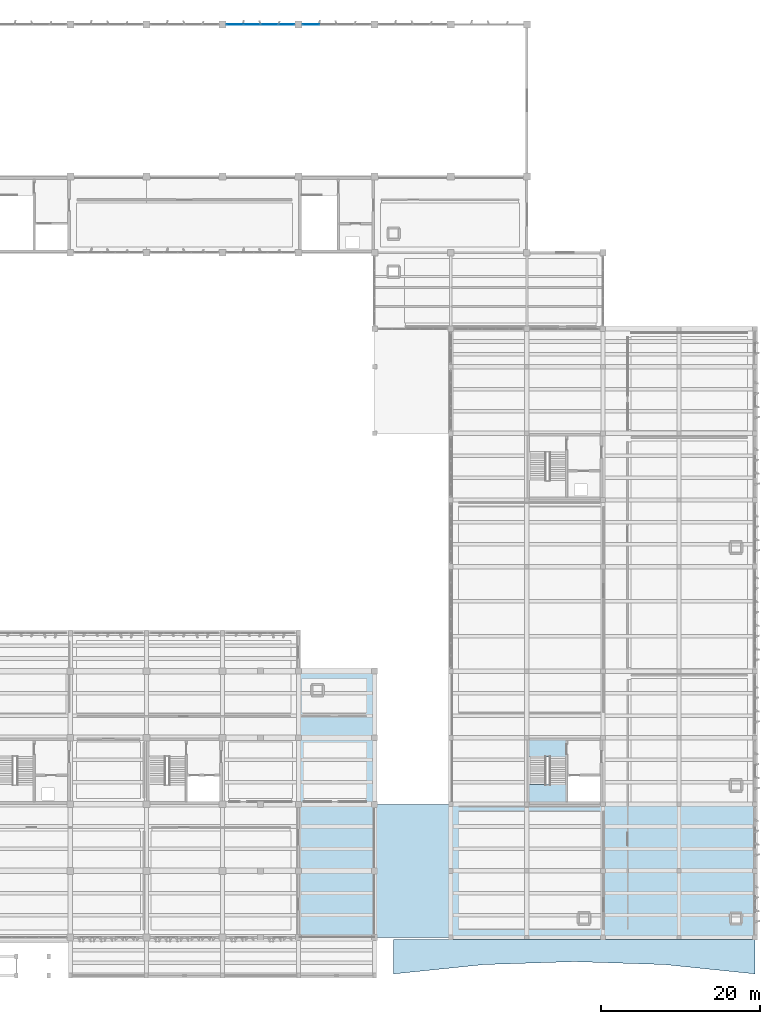
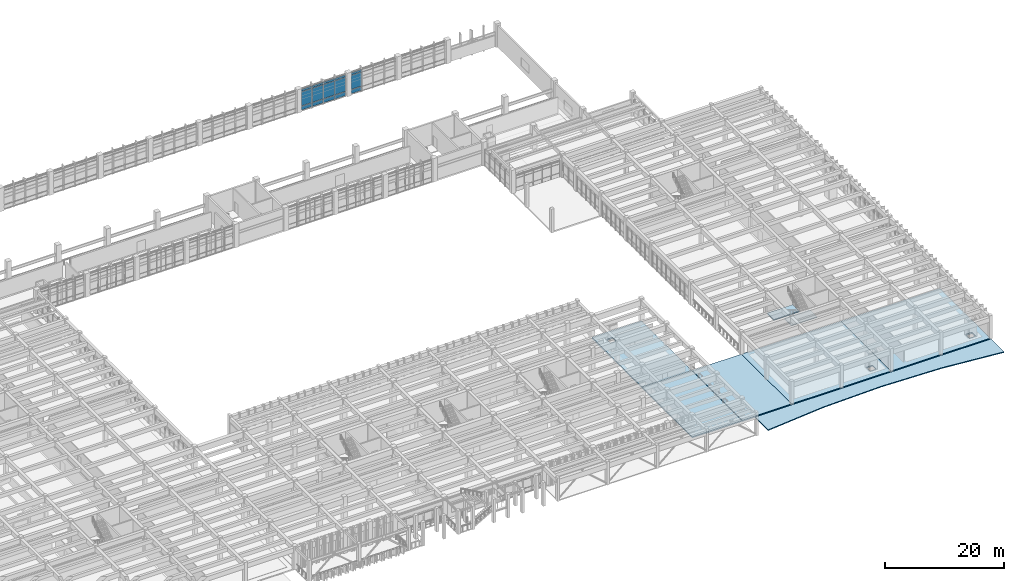
# One storey, part 54 of 86: 15 plates, 8 slabs, 3 elements without a shape of their own.
"""IFC4 building model written with IfcOpenShell, lengths in metres."""

import ifcopenshell
import ifcopenshell.guid

model = None  # the IFC model being written
_history = None  # IfcOwnerHistory: only IFC2X3 demands one
_inside = {}  # id of a spatial element -> (the spatial element, [elements in it])
_under = {}  # id of a project, library or spatial element -> (it, [spatial elements below it])
_declared = {}  # id of a project -> (the project, [libraries it declares])
_typed = {}  # id of a type object -> (the type object, [elements of that type])
_made_of = {}  # id of a material, layer set ... -> (it, [elements and type objects made of it])


def new_model(schema):
    """Start an empty IFC model of exactly this schema.

    Asked for "IFC4X3", IfcOpenShell would pick the latest addendum, in which some entities
    have other attributes; the version numbers below select the first issue.
    IFC2X3 requires an IfcOwnerHistory on every rooted entity: one is made here for all.
    """
    global model, _history
    if schema == "IFC4X3":
        model = ifcopenshell.file(schema_version=(4, 3, 0, 0))
    else:
        model = ifcopenshell.file(schema=schema)
    _inside.clear()
    _under.clear()
    _declared.clear()
    _typed.clear()
    _made_of.clear()
    _history = None
    if model.schema == "IFC2X3":
        org = make("IfcOrganization", Name="unknown")
        user = make(
            "IfcPersonAndOrganization",
            ThePerson=make("IfcPerson", FamilyName="unknown"),
            TheOrganization=org,
        )
        app = make(
            "IfcApplication",
            ApplicationDeveloper=org,
            Version="unknown",
            ApplicationFullName="unknown",
            ApplicationIdentifier="unknown",
        )
        _history = make(
            "IfcOwnerHistory",
            OwningUser=user,
            OwningApplication=app,
            ChangeAction="ADDED",
            CreationDate=0,
        )
    return model


def make(cls, **values):
    """One entity of the class cls with the attributes given. An attribute that is None is left unset."""
    return model.create_entity(
        cls, **{name: value for name, value in values.items() if value is not None}
    )


def rooted(cls, **values):
    """An entity with a GlobalId (a new one), such as an element, a storey or a relation."""
    return make(cls, GlobalId=ifcopenshell.guid.new(), OwnerHistory=_history, **values)


def si_unit(unit_type, name, prefix=None):
    """IfcSIUnit, for example si_unit("LENGTHUNIT", "METRE", prefix="MILLI")."""
    return make("IfcSIUnit", UnitType=unit_type, Prefix=prefix, Name=name)


def assignment(units):
    """IfcUnitAssignment: the units of a project."""
    return None if units is None else make("IfcUnitAssignment", Units=units)


def point(xyz):
    """IfcCartesianPoint."""
    return None if xyz is None else make("IfcCartesianPoint", Coordinates=xyz)


def direction(xyz):
    """IfcDirection."""
    return None if xyz is None else make("IfcDirection", DirectionRatios=xyz)


def frame(location, z_axis=None, x_axis=None):
    """IfcAxis2Placement3D, a coordinate frame: its origin and axes. An axis left out is left unset."""
    return make(
        "IfcAxis2Placement3D",
        Location=point(location),
        Axis=direction(z_axis),
        RefDirection=direction(x_axis),
    )


def frame_2d(location, x_axis=None):
    """IfcAxis2Placement2D, a coordinate frame in the plane: its origin and x axis."""
    return make(
        "IfcAxis2Placement2D", Location=point(location), RefDirection=direction(x_axis)
    )


def origin():
    """The frame at (0, 0, 0) with its axes left unset."""
    return frame((0.0, 0.0, 0.0))


def origin_2d():
    """The frame at (0, 0) in the plane with its x axis left unset."""
    return frame_2d((0.0, 0.0))


def place(relative_to, where):
    """IfcLocalPlacement: puts the frame where relative to a parent placement (None: the world)."""
    return make(
        "IfcLocalPlacement", PlacementRelTo=relative_to, RelativePlacement=where
    )


def context(
    kind, dimensions, precision=None, world=None, true_north=None, identifier=None
):
    """IfcGeometricRepresentationContext, for example the 3D "Model" context."""
    return make(
        "IfcGeometricRepresentationContext",
        ContextIdentifier=identifier,
        ContextType=kind,
        CoordinateSpaceDimension=dimensions,
        Precision=precision,
        WorldCoordinateSystem=world,
        TrueNorth=true_north,
    )


def subcontext(parent, identifier, kind, view, scale=None):
    """IfcGeometricRepresentationSubContext, for example "Body" below "Model"."""
    return make(
        "IfcGeometricRepresentationSubContext",
        ContextIdentifier=identifier,
        ContextType=kind,
        ParentContext=parent,
        TargetScale=scale,
        TargetView=view,
    )


def project(units=None, contexts=None):
    """IfcProject with its units and contexts."""
    return rooted(
        "IfcProject",
        Name="project",
        RepresentationContexts=contexts,
        UnitsInContext=assignment(units),
    )


def spatial(cls, under=None, at=None, **own):
    """A site, building, storey or space (cls), placed at a placement, below another one or the project."""
    s = rooted(cls, ObjectPlacement=at, **own)
    if under is not None:
        _under.setdefault(under.id(), (under, []))[1].append(s)
    return s


def polyline(points):
    """IfcPolyline through the points."""
    return make("IfcPolyline", Points=[point(p) for p in points])


def profile(cls, at=None, kind="AREA", **sizes):
    """A parametric profile (cls). Its sizes go by their IFC names, for example OverallWidth=200.0."""
    return make(cls, ProfileType=kind, Position=at, **sizes)


def rectangle(**sizes):
    """IfcRectangleProfileDef."""
    return profile("IfcRectangleProfileDef", **sizes)


def outline(outer, holes=None, kind="AREA"):
    """IfcArbitraryClosedProfileDef: a profile drawn as a closed curve; with holes, ...WithVoids."""
    if holes is None:
        return make("IfcArbitraryClosedProfileDef", ProfileType=kind, OuterCurve=outer)
    return make(
        "IfcArbitraryProfileDefWithVoids",
        ProfileType=kind,
        OuterCurve=outer,
        InnerCurves=holes,
    )


def extrude(swept, where, along, depth):
    """IfcExtrudedAreaSolid: the profile swept, set in the frame where, extruded along a direction by depth."""
    return make(
        "IfcExtrudedAreaSolid",
        SweptArea=swept,
        Position=where,
        ExtrudedDirection=direction(along),
        Depth=depth,
    )


def shape(context_of_items, identifier, shape_type, items):
    """IfcShapeRepresentation: the items that make up one representation, for example the "Body"."""
    return make(
        "IfcShapeRepresentation",
        ContextOfItems=context_of_items,
        RepresentationIdentifier=identifier,
        RepresentationType=shape_type,
        Items=items,
    )


def material(Name=None, Category=None):
    """IfcMaterial."""
    return make("IfcMaterial", Name=Name, Category=Category)


def layer(
    of_material, thickness, ventilated=None, Name=None, Category=None, Priority=None
):
    """IfcMaterialLayer: one layer of a wall or slab, of a material (None: an air gap)."""
    return make(
        "IfcMaterialLayer",
        Material=of_material,
        LayerThickness=thickness,
        IsVentilated=ventilated,
        Name=Name,
        Category=Category,
        Priority=Priority,
    )


def layer_set(layers, Name=None):
    """IfcMaterialLayerSet."""
    return make("IfcMaterialLayerSet", MaterialLayers=layers, LayerSetName=Name)


def made_of(thing, what):
    """Note that an element or type object is made of a material, layer set ...; save() writes the relation."""
    if what is not None:
        _made_of.setdefault(what.id(), (what, []))[1].append(thing)
    return thing


def type_object(cls, material=None, **own):
    """A type object (cls), such as IfcWallType, which elements share."""
    return made_of(rooted(cls, **own), material)


def element(
    cls,
    number,
    at=None,
    inside=None,
    cuts=None,
    type_object=None,
    material=None,
    context=None,
    identifier="Body",
    shape_type=None,
    held_by="IfcProductDefinitionShape",
    body=None,
    shapes=None,
    **own,
):
    """One element of the class cls, such as IfcWall. Its Tag is "e" and its number.

    at: its placement. inside: the storey or other place that contains it. cuts: it is an
    opening in that element (IfcRelVoidsElement). A single representation is given by context,
    identifier, shape_type and body (its items); several are given by shapes. held_by: the class
    of the entity that holds the representations. save() writes the other relations.
    """
    e = rooted(cls, Tag="e%d" % number, ObjectPlacement=at, **own)
    if body is not None:
        shapes = [shape(context, identifier, shape_type, body)]
    if shapes is not None:
        e.Representation = make(held_by, Representations=shapes)
    if inside is not None:
        _inside.setdefault(inside.id(), (inside, []))[1].append(e)
    if cuts is not None:
        rooted(
            "IfcRelVoidsElement", RelatingBuildingElement=cuts, RelatedOpeningElement=e
        )
    if type_object is not None:
        _typed.setdefault(type_object.id(), (type_object, []))[1].append(e)
    return made_of(e, material)


def aggregate(whole, parts):
    """IfcRelAggregates: a whole, such as a stair, and the parts it consists of."""
    return rooted("IfcRelAggregates", RelatingObject=whole, RelatedObjects=parts)


def save(model, path):
    """Write the relations noted so far, then the file.

    IfcRelAggregates (storeys below a building ...), IfcRelContainedInSpatialStructure (elements
    in a storey), IfcRelDefinesByType, IfcRelAssociatesMaterial and IfcRelDeclares: one each for
    every whole, place, type object, material and project.
    """
    for whole, parts in _under.values():
        aggregate(whole, parts)
    for where, things in _inside.values():
        rooted(
            "IfcRelContainedInSpatialStructure",
            RelatedElements=things,
            RelatingStructure=where,
        )
    for kind, things in _typed.values():
        rooted("IfcRelDefinesByType", RelatedObjects=things, RelatingType=kind)
    for what, things in _made_of.values():
        rooted("IfcRelAssociatesMaterial", RelatedObjects=things, RelatingMaterial=what)
    for by, libraries in _declared.values():
        rooted("IfcRelDeclares", RelatingContext=by, RelatedDefinitions=libraries)
    model.write(path)


model = new_model("IFC4")

# Units and contexts
model_context = context("Model", 3, precision=1e-05, world=origin(), true_north=direction((0.0, 1.0)))
body_context = subcontext(model_context, "Body", "Model", "MODEL_VIEW")
ifc_project = project(units=[si_unit("LENGTHUNIT", "METRE"), si_unit("AREAUNIT", "SQUARE_METRE"), si_unit("VOLUMEUNIT", "CUBIC_METRE"), si_unit("PLANEANGLEUNIT", "RADIAN"), si_unit("MASSUNIT", "GRAM", prefix="KILO")], contexts=[model_context])

# Site, building, storey
site_placement = place(None, origin())
site = spatial("IfcSite", under=ifc_project, at=site_placement, CompositionType="ELEMENT")
building_placement = place(site_placement, origin())
building = spatial("IfcBuilding", under=site, at=building_placement, Name="Kolvemor Railside Polytechnic", CompositionType="ELEMENT")
storey_placement = place(building_placement, frame((0.0, 0.0, 5.39990234375)))
storey = spatial("IfcBuildingStorey", under=building, at=storey_placement, Name="L01", CompositionType="ELEMENT", Elevation=5.39990234375)

# Curtain wall, plates
ifc_material_1 = material(Name="Anodised marine aluminium and laminated low-E glass", Category="aluminium")
ifc_layer_1 = layer(ifc_material_1, 0.179931640625, Name="CW-UNIT-WKS")
ifc_layer_set_1 = layer_set([ifc_layer_1], Name="Anodised marine aluminium and laminated low-E glass")
curtain_wall_type = type_object("IfcCurtainWallType", Name="CW-UNIT-WKS", PredefinedType="USERDEFINED", material=ifc_layer_set_1)
curtain_wall_1_placement = place(storey_placement, origin())
curtain_wall_1 = element("IfcCurtainWall", 1, at=curtain_wall_1_placement, inside=storey, type_object=curtain_wall_type, Name="Curtain Wall L01-025", ObjectType="UNITISED CURTAIN WALL", PredefinedType="USERDEFINED")
ifc_material_2 = material(Name="Hurricane-laminated solar-control low-E glass", Category="glass")
ifc_layer_2 = layer(ifc_material_2, 0.0458984375, Name="CWP-GLZ-13")
ifc_layer_set_2 = layer_set([ifc_layer_2], Name="Hurricane-laminated solar-control low-E glass")
plate_type_1 = type_object("IfcPlateType", Name="CWP-GLZ-13", PredefinedType="CURTAIN_PANEL", material=ifc_layer_set_2)
plate_1_placement = place(storey_placement, frame((126.371337890625, 120.0, 0.074951171875), z_axis=(0.0, 0.0, 1.0), x_axis=(-1.0, 0.0, 0.0)))
plate_1 = element("IfcPlate", 2, at=plate_1_placement, type_object=plate_type_1, Name="CW-WKS panel 4.1", PredefinedType="CURTAIN_PANEL", context=body_context, shape_type="SweptSolid", body=[
    extrude(rectangle(XDim=2.052490234375, YDim=0.0458984375, at=origin_2d()), origin(), (0.0, 0.0, 1.0), 0.78759765625),
])
plate_2_placement = place(storey_placement, frame((126.371337890625, 120.0, 0.9375), z_axis=(0.0, 0.0, 1.0), x_axis=(-1.0, 0.0, 0.0)))
plate_2 = element("IfcPlate", 3, at=plate_2_placement, type_object=plate_type_1, Name="CW-WKS panel 4.2", PredefinedType="CURTAIN_PANEL", context=body_context, shape_type="SweptSolid", body=[
    extrude(rectangle(XDim=2.052490234375, YDim=0.0458984375, at=origin_2d()), origin(), (0.0, 0.0, 1.0), 2.875),
])
plate_3_placement = place(storey_placement, frame((126.371337890625, 120.0, 3.8876953125), z_axis=(0.0, 0.0, 1.0), x_axis=(-1.0, 0.0, 0.0)))
plate_3 = element("IfcPlate", 4, at=plate_3_placement, type_object=plate_type_1, Name="CW-WKS panel 4.3", PredefinedType="CURTAIN_PANEL", context=body_context, shape_type="SweptSolid", body=[
    extrude(rectangle(XDim=2.052490234375, YDim=0.0458984375, at=origin_2d()), origin(), (0.0, 0.0, 1.0), 0.4375),
])
aggregate(curtain_wall_1, [plate_1, plate_2, plate_3])

curtain_wall_2_placement = place(storey_placement, origin())
curtain_wall_2 = element("IfcCurtainWall", 5, at=curtain_wall_2_placement, inside=storey, type_object=curtain_wall_type, Name="Curtain Wall L01-023", ObjectType="UNITISED CURTAIN WALL", PredefinedType="USERDEFINED")
ifc_material_3 = material(Name="Hurricane-laminated solar-control low-E glass", Category="glass")
ifc_layer_3 = layer(ifc_material_3, 0.050048828125, Name="CWP-GLZ-15")
ifc_layer_set_3 = layer_set([ifc_layer_3], Name="Hurricane-laminated solar-control low-E glass")
plate_type_2 = type_object("IfcPlateType", Name="CWP-GLZ-15", PredefinedType="CURTAIN_PANEL", material=ifc_layer_set_3)
plate_4_placement = place(storey_placement, frame((123.228759765625, 120.0, 0.074951171875), z_axis=(0.0, 0.0, 1.0), x_axis=(-1.0, 0.0, 0.0)))
plate_4 = element("IfcPlate", 6, at=plate_4_placement, type_object=plate_type_2, Name="CW-WKS panel 1.1", PredefinedType="CURTAIN_PANEL", context=body_context, shape_type="SweptSolid", body=[
    extrude(rectangle(XDim=2.052490234375, YDim=0.050048828125, at=origin_2d()), origin(), (0.0, 0.0, 1.0), 0.78759765625),
])
plate_5_placement = place(storey_placement, frame((123.228759765625, 120.0, 0.9375), z_axis=(0.0, 0.0, 1.0), x_axis=(-1.0, 0.0, 0.0)))
plate_5 = element("IfcPlate", 7, at=plate_5_placement, type_object=plate_type_2, Name="CW-WKS panel 1.2", PredefinedType="CURTAIN_PANEL", context=body_context, shape_type="SweptSolid", body=[
    extrude(rectangle(XDim=2.052490234375, YDim=0.050048828125, at=origin_2d()), origin(), (0.0, 0.0, 1.0), 2.875),
])
plate_6_placement = place(storey_placement, frame((123.228759765625, 120.0, 3.8876953125), z_axis=(0.0, 0.0, 1.0), x_axis=(-1.0, 0.0, 0.0)))
plate_6 = element("IfcPlate", 8, at=plate_6_placement, type_object=plate_type_2, Name="CW-WKS panel 1.3", PredefinedType="CURTAIN_PANEL", context=body_context, shape_type="SweptSolid", body=[
    extrude(rectangle(XDim=2.052490234375, YDim=0.050048828125, at=origin_2d()), origin(), (0.0, 0.0, 1.0), 0.4375),
])
plate_7_placement = place(storey_placement, frame((121.08251953125, 120.0, 0.074951171875), z_axis=(0.0, 0.0, 1.0), x_axis=(-1.0, 0.0, 0.0)))
plate_7 = element("IfcPlate", 9, at=plate_7_placement, type_object=plate_type_2, Name="CW-WKS panel 2.1", PredefinedType="CURTAIN_PANEL", context=body_context, shape_type="SweptSolid", body=[
    extrude(rectangle(XDim=2.090087890625, YDim=0.050048828125, at=origin_2d()), origin(), (0.0, 0.0, 1.0), 0.78759765625),
])
plate_8_placement = place(storey_placement, frame((121.08251953125, 120.0, 0.9375), z_axis=(0.0, 0.0, 1.0), x_axis=(-1.0, 0.0, 0.0)))
plate_8 = element("IfcPlate", 10, at=plate_8_placement, type_object=plate_type_2, Name="CW-WKS panel 2.2", PredefinedType="CURTAIN_PANEL", context=body_context, shape_type="SweptSolid", body=[
    extrude(rectangle(XDim=2.090087890625, YDim=0.050048828125, at=origin_2d()), origin(), (0.0, 0.0, 1.0), 2.875),
])
plate_9_placement = place(storey_placement, frame((121.08251953125, 120.0, 3.8876953125), z_axis=(0.0, 0.0, 1.0), x_axis=(-1.0, 0.0, 0.0)))
plate_9 = element("IfcPlate", 11, at=plate_9_placement, type_object=plate_type_2, Name="CW-WKS panel 2.3", PredefinedType="CURTAIN_PANEL", context=body_context, shape_type="SweptSolid", body=[
    extrude(rectangle(XDim=2.090087890625, YDim=0.050048828125, at=origin_2d()), origin(), (0.0, 0.0, 1.0), 0.4375),
])
plate_10_placement = place(storey_placement, frame((118.91748046875, 120.0, 0.074951171875), z_axis=(0.0, 0.0, 1.0), x_axis=(-1.0, 0.0, 0.0)))
plate_10 = element("IfcPlate", 12, at=plate_10_placement, type_object=plate_type_2, Name="CW-WKS panel 3.1", PredefinedType="CURTAIN_PANEL", context=body_context, shape_type="SweptSolid", body=[
    extrude(rectangle(XDim=2.090087890625, YDim=0.050048828125, at=origin_2d()), origin(), (0.0, 0.0, 1.0), 0.78759765625),
])
plate_11_placement = place(storey_placement, frame((118.91748046875, 120.0, 0.9375), z_axis=(0.0, 0.0, 1.0), x_axis=(-1.0, 0.0, 0.0)))
plate_11 = element("IfcPlate", 13, at=plate_11_placement, type_object=plate_type_2, Name="CW-WKS panel 3.2", PredefinedType="CURTAIN_PANEL", context=body_context, shape_type="SweptSolid", body=[
    extrude(rectangle(XDim=2.090087890625, YDim=0.050048828125, at=origin_2d()), origin(), (0.0, 0.0, 1.0), 2.875),
])
plate_12_placement = place(storey_placement, frame((118.91748046875, 120.0, 3.8876953125), z_axis=(0.0, 0.0, 1.0), x_axis=(-1.0, 0.0, 0.0)))
plate_12 = element("IfcPlate", 14, at=plate_12_placement, type_object=plate_type_2, Name="CW-WKS panel 3.3", PredefinedType="CURTAIN_PANEL", context=body_context, shape_type="SweptSolid", body=[
    extrude(rectangle(XDim=2.090087890625, YDim=0.050048828125, at=origin_2d()), origin(), (0.0, 0.0, 1.0), 0.4375),
])
plate_13_placement = place(storey_placement, frame((116.771240234375, 120.0, 0.074951171875), z_axis=(0.0, 0.0, 1.0), x_axis=(-1.0, 0.0, 0.0)))
plate_13 = element("IfcPlate", 15, at=plate_13_placement, type_object=plate_type_2, Name="CW-WKS panel 4.1", PredefinedType="CURTAIN_PANEL", context=body_context, shape_type="SweptSolid", body=[
    extrude(rectangle(XDim=2.052490234375, YDim=0.050048828125, at=origin_2d()), origin(), (0.0, 0.0, 1.0), 0.78759765625),
])
plate_14_placement = place(storey_placement, frame((116.771240234375, 120.0, 0.9375), z_axis=(0.0, 0.0, 1.0), x_axis=(-1.0, 0.0, 0.0)))
plate_14 = element("IfcPlate", 16, at=plate_14_placement, type_object=plate_type_2, Name="CW-WKS panel 4.2", PredefinedType="CURTAIN_PANEL", context=body_context, shape_type="SweptSolid", body=[
    extrude(rectangle(XDim=2.052490234375, YDim=0.050048828125, at=origin_2d()), origin(), (0.0, 0.0, 1.0), 2.875),
])
plate_15_placement = place(storey_placement, frame((116.771240234375, 120.0, 3.8876953125), z_axis=(0.0, 0.0, 1.0), x_axis=(-1.0, 0.0, 0.0)))
plate_15 = element("IfcPlate", 17, at=plate_15_placement, type_object=plate_type_2, Name="CW-WKS panel 4.3", PredefinedType="CURTAIN_PANEL", context=body_context, shape_type="SweptSolid", body=[
    extrude(rectangle(XDim=2.052490234375, YDim=0.050048828125, at=origin_2d()), origin(), (0.0, 0.0, 1.0), 0.4375),
])
aggregate(curtain_wall_2, [plate_4, plate_5, plate_6, plate_7, plate_8, plate_9, plate_10, plate_11, plate_12, plate_13, plate_14, plate_15])

# Slabs
ifc_material_4 = material(Name="Concrete C40/50", Category="concrete")
ifc_layer_4 = layer(ifc_material_4, 0.18994140625, Name="SLB-CAN-190")
ifc_layer_set_4 = layer_set([ifc_layer_4], Name="Concrete C40/50")
slab_type_1 = type_object("IfcSlabType", Name="SLB-CAN-190", PredefinedType="ROOF", material=ifc_layer_set_4)
slab_1_placement = place(storey_placement, frame((0.0, 0.0, -0.18994140625)))
element("IfcSlab", 18, at=slab_1_placement, inside=storey, type_object=slab_type_1, Name="Parametric Curved Entrance Canopy E", PredefinedType="ROOF", context=body_context, shape_type="SweptSolid", body=[
    extrude(outline(polyline([(136.800048828125, 0.198974609375), (148.199951171875, 1.376953125), (159.60009765625, 1.75), (171.0, 1.376953125), (182.39990234375, 0.198974609375), (182.39990234375, 4.550048828125), (136.800048828125, 4.550048828125), (136.800048828125, 0.198974609375)])), origin(), (0.0, 0.0, 1.0), 0.18994140625),
])
ifc_material_5 = material(Name="Concrete C40/50", Category="concrete")
ifc_layer_5 = layer(ifc_material_5, 0.199951171875, Name="SLB-LND-200")
ifc_layer_set_5 = layer_set([ifc_layer_5], Name="Concrete C40/50")
slab_type_2 = type_object("IfcSlabType", Name="SLB-LND-200", PredefinedType="LANDING", material=ifc_layer_set_5)
slab_2_placement = place(storey_placement, frame((0.0, 0.0, -0.199951171875)))
element("IfcSlab", 19, at=slab_2_placement, inside=storey, type_object=slab_type_2, Name="ST-6 Floor Landing L01", PredefinedType="LANDING", context=body_context, shape_type="SweptSolid", body=[
    extrude(outline(polyline([(153.760009765625, 27.60009765625), (158.68994140625, 27.60009765625), (158.68994140625, 29.840087890625), (153.760009765625, 29.840087890625), (153.760009765625, 27.60009765625)])), origin(), (0.0, 0.0, 1.0), 0.199951171875),
])

# Stair, slab
ifc_material_6 = material(Name="Concrete C40/50", Category="concrete")
stair_type = type_object("IfcStairType", Name="STR-CORE-480", PredefinedType="HALF_TURN_STAIR", material=ifc_material_6)
stair_placement = place(storey_placement, origin())
stair = element("IfcStair", 20, at=stair_placement, inside=storey, type_object=stair_type, Name="Core Stair ST-6 (L01 to L02)", PredefinedType="HALF_TURN_STAIR")
slab_3_placement = place(storey_placement, frame((0.0, 0.0, 2.2001953125)))
slab_3 = element("IfcSlab", 21, at=slab_3_placement, type_object=slab_type_2, Name="ST-6-L01 landing 1", PredefinedType="LANDING", context=body_context, shape_type="SweptSolid", body=[
    extrude(outline(polyline([(153.75, 21.75), (158.699951171875, 21.75), (158.699951171875, 24.125), (153.75, 24.125), (153.75, 21.75)])), origin(), (0.0, 0.0, 1.0), 0.199951171875),
])
aggregate(stair, [slab_3])

# Slabs
ifc_material_7 = material(Name="Concrete C40/50", Category="concrete")
ifc_layer_6 = layer(ifc_material_7, 0.280029296875, Name="SLB-POD-L01")
ifc_layer_set_6 = layer_set([ifc_layer_6], Name="Concrete C40/50")
slab_type_3 = type_object("IfcSlabType", Name="SLB-POD-L01", PredefinedType="FLOOR", material=ifc_layer_set_6)
slab_4_placement = place(storey_placement, frame((0.0, 0.0, -0.27978515625)))
element("IfcSlab", 22, at=slab_4_placement, inside=storey, type_object=slab_type_3, Name="Main Stack L01 Slab L01-53", PredefinedType="FLOOR", context=body_context, shape_type="SweptSolid", body=[
    extrude(outline(polyline([(124.800048828125, 21.60009765625), (134.39990234375, 21.60009765625), (134.39990234375, 38.39990234375), (124.800048828125, 38.39990234375), (124.800048828125, 21.60009765625)]), holes=[polyline([(126.60009765625, 35.39990234375), (127.800048828125, 35.39990234375), (127.800048828125, 36.60009765625), (126.60009765625, 36.60009765625), (126.60009765625, 35.39990234375)])]), origin(), (0.0, 0.0, 1.0), 0.27978515625),
])
slab_5_placement = place(storey_placement, frame((0.0, 0.0, -0.27978515625)))
element("IfcSlab", 23, at=slab_5_placement, inside=storey, type_object=slab_type_3, Name="Union Wing L01 Slab L01-54", PredefinedType="FLOOR", context=body_context, shape_type="SweptSolid", body=[
    extrude(outline(polyline([(144.0, 4.800048828125), (163.199951171875, 4.800048828125), (163.199951171875, 21.60009765625), (144.0, 21.60009765625), (144.0, 4.800048828125)]), holes=[polyline([(160.199951171875, 6.60009765625), (161.39990234375, 6.60009765625), (161.39990234375, 7.800048828125), (160.199951171875, 7.800048828125), (160.199951171875, 6.60009765625)])]), origin(), (0.0, 0.0, 1.0), 0.27978515625),
])
slab_6_placement = place(storey_placement, frame((0.0, 0.0, -0.27978515625)))
element("IfcSlab", 24, at=slab_6_placement, inside=storey, type_object=slab_type_3, Name="Union Wing L01 Slab L01-57", PredefinedType="FLOOR", context=body_context, shape_type="SweptSolid", body=[
    extrude(outline(polyline([(163.199951171875, 4.800048828125), (182.39990234375, 4.800048828125), (182.39990234375, 21.60009765625), (163.199951171875, 21.60009765625), (163.199951171875, 4.800048828125)]), holes=[polyline([(179.39990234375, 6.60009765625), (180.60009765625, 6.60009765625), (180.60009765625, 7.800048828125), (179.39990234375, 7.800048828125), (179.39990234375, 6.60009765625)])]), origin(), (0.0, 0.0, 1.0), 0.27978515625),
])
slab_7_placement = place(storey_placement, frame((0.0, 0.0, -0.27978515625)))
element("IfcSlab", 25, at=slab_7_placement, inside=storey, type_object=slab_type_3, Name="Union South Entry L01 Slab L01-60", PredefinedType="FLOOR", context=body_context, shape_type="SweptSolid", body=[
    extrude(outline(polyline([(134.47509765625, 4.800048828125), (144.0, 4.800048828125), (144.0, 21.60009765625), (134.47509765625, 21.60009765625), (134.47509765625, 4.800048828125)])), origin(), (0.0, 0.0, 1.0), 0.27978515625),
])
ifc_material_8 = material(Name="Concrete C40/50", Category="concrete")
ifc_layer_7 = layer(ifc_material_8, 0.25, Name="SLB-TER-250")
ifc_layer_set_7 = layer_set([ifc_layer_7], Name="Concrete C40/50")
slab_type_4 = type_object("IfcSlabType", Name="SLB-TER-250", PredefinedType="FLOOR", material=ifc_layer_set_7)
slab_8_placement = place(storey_placement, frame((0.0, 0.0, -0.25)))
element("IfcSlab", 26, at=slab_8_placement, inside=storey, type_object=slab_type_4, Name="Corner Study Terrace L01-SE L01-88", PredefinedType="FLOOR", context=body_context, shape_type="SweptSolid", body=[
    extrude(outline(polyline([(124.800048828125, 4.800048828125), (134.39990234375, 4.800048828125), (134.39990234375, 21.60009765625), (124.800048828125, 21.60009765625), (124.800048828125, 4.800048828125)])), origin(), (0.0, 0.0, 1.0), 0.25),
])

save(model, "model.ifc")
